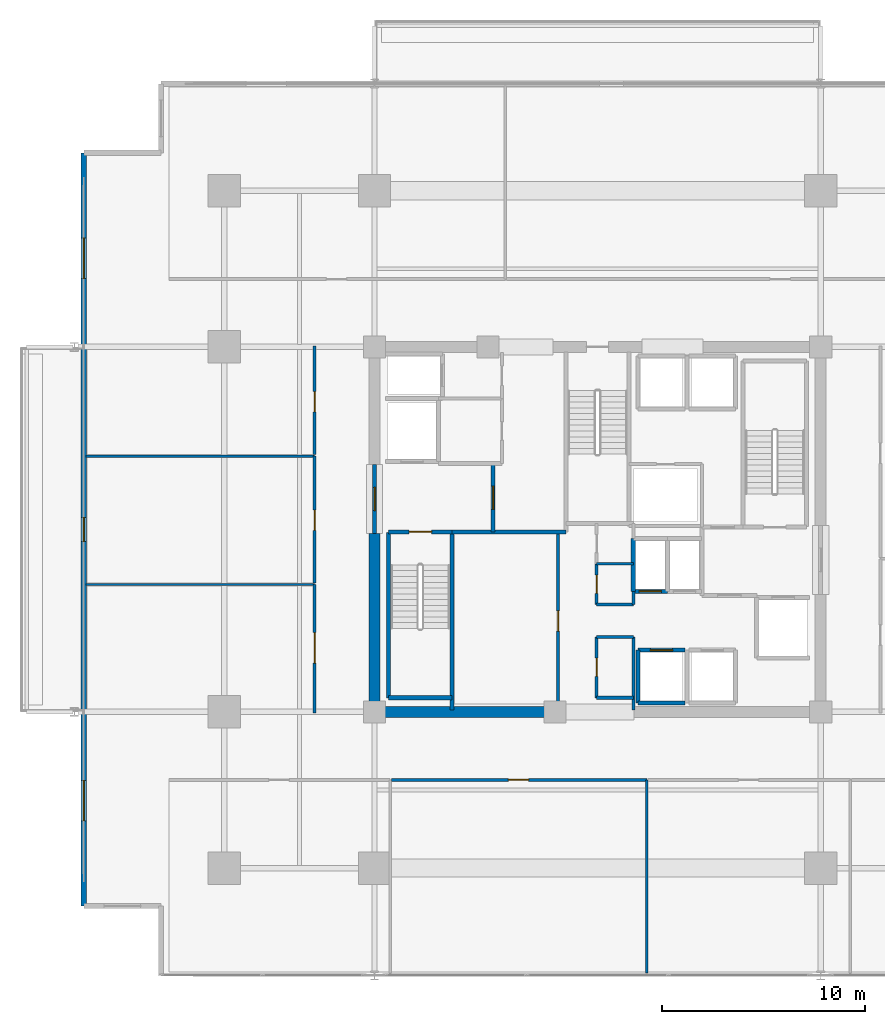
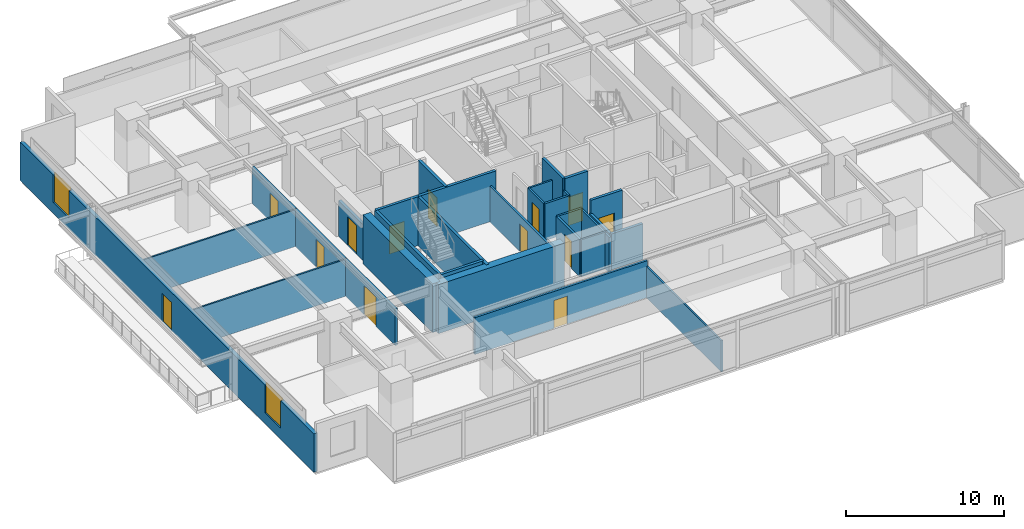
# One storey, part 13 of 20: 31 walls, 13 doors, 2 windows, 15 openings.
"""IFC4 building model written with IfcOpenShell, lengths in metres."""

from ifc_helpers import new_model, si_unit, direction, frame, frame_2d, origin, place, context, subcontext, project, spatial, rectangle, extrude, material, layer, layer_set, type_object, element, fill, save


model = new_model("IFC4")

# Units and contexts
model_context = context("Model", 3, precision=1e-05, world=origin(), true_north=direction((0.0, 1.0)))
body_context = subcontext(model_context, "Body", "Model", "MODEL_VIEW")
ifc_project = project(units=[si_unit("LENGTHUNIT", "METRE"), si_unit("AREAUNIT", "SQUARE_METRE"), si_unit("VOLUMEUNIT", "CUBIC_METRE"), si_unit("PLANEANGLEUNIT", "RADIAN"), si_unit("MASSUNIT", "GRAM", prefix="KILO")], contexts=[model_context])

# Site, building, storey
site_placement = place(None, origin())
site = spatial("IfcSite", under=ifc_project, at=site_placement, CompositionType="ELEMENT")
building_placement = place(site_placement, origin())
building = spatial("IfcBuilding", under=site, at=building_placement, Name="Kovane Verandah Tower", CompositionType="ELEMENT")
storey_placement = place(building_placement, frame((0.0, 0.0, 164.39990234375)))
storey = spatial("IfcBuildingStorey", under=building, at=storey_placement, Name="L38", CompositionType="ELEMENT", Elevation=164.39990234375)

# Walls
ifc_material_1 = material(Name="Fire-Rated Gypsum Stud Partition", Category="gypsum")
ifc_layer_1 = layer(ifc_material_1, 0.14990234375)
ifc_layer_set_1 = layer_set([ifc_layer_1], Name="Fire-Rated Gypsum Stud Partition")
wall_type_1 = type_object("IfcWallType", Name="WL-COR-150", PredefinedType="PARTITIONING", material=ifc_layer_set_1)
for number, where, z_axis, x_axis, name in (
    (1, (39.949951171875, 19.199951171875, 0.0), (0.0, 0.0, 1.0), (1.0, 0.0, 0.0), "L38 Central Core Strip South Wall"),
    (2, (39.949951171875, 22.199951171875, 0.0), (0.0, 0.0, 1.0), (1.0, 0.0, 0.0), "L38 Core Cross-Passage South Wall"),
    (3, (39.949951171875, 23.800048828125, 0.0), (0.0, 0.0, 1.0), (1.0, 0.0, 0.0), "L38 Core Cross-Passage North Wall"),
):
    element("IfcWall", number, at=place(storey_placement, frame(where, z_axis=z_axis, x_axis=x_axis)), inside=storey, type_object=wall_type_1, Name=name, PredefinedType="PARTITIONING", context=body_context, shape_type="SweptSolid", body=[
        extrude(rectangle(XDim=1.81005859375, YDim=0.14990234375, at=frame_2d((0.905029296875, 0.0))), origin(), (0.0, 0.0, 1.0), 2.85009765625),
    ])
wall_1_placement = place(storey_placement, frame((41.760009765625, 18.60009765625, 0.0), z_axis=(0.0, 0.0, 1.0), x_axis=(0.0, 1.0, 0.0)))
element("IfcWall", 4, at=wall_1_placement, inside=storey, type_object=wall_type_1, Name="L38 Central Core Strip Lower East Wall", PredefinedType="PARTITIONING", context=body_context, shape_type="SweptSolid", body=[
    extrude(rectangle(XDim=3.599853515625, YDim=0.14990234375, at=frame_2d((1.7998046875, 0.0))), origin(), (0.0, 0.0, 1.0), 2.755126953125),
])
wall_2_placement = place(storey_placement, frame((41.760009765625, 23.800048828125, 0.0), z_axis=(0.0, 0.0, 1.0), x_axis=(0.0, 1.0, 0.0)))
element("IfcWall", 5, at=wall_2_placement, inside=storey, type_object=wall_type_1, Name="L38 Central Core Strip Middle East Wall", PredefinedType="PARTITIONING", context=body_context, shape_type="SweptSolid", body=[
    extrude(rectangle(XDim=0.64990234375, YDim=0.14990234375, at=frame_2d((0.324951171875, 0.0))), origin(), (0.0, 0.0, 1.0), 2.85009765625),
])

# Wall, opening, door
wall_3_placement = place(storey_placement, frame((39.949951171875, 19.199951171875, 0.0), z_axis=(0.0, 0.0, 1.0), x_axis=(0.0, 1.0, 0.0)))
wall_3 = element("IfcWall", 6, at=wall_3_placement, inside=storey, type_object=wall_type_1, Name="L38 Male Toilet Partition", PredefinedType="PARTITIONING", context=body_context, shape_type="SweptSolid", body=[
    extrude(rectangle(XDim=3.0, YDim=0.14990234375, at=frame_2d((1.5, 0.0))), origin(), (0.0, 0.0, 1.0), 2.85009765625),
])
opening_1_placement = place(wall_3_placement, frame((1.050048828125, 0.0, 0.0)))
opening_1 = element("IfcOpeningElement", 7, at=opening_1_placement, cuts=wall_3, Name="Opening DR-L38-025", PredefinedType="OPENING", context=body_context, shape_type="SweptSolid", body=[
    extrude(rectangle(XDim=0.89990234375, YDim=2.10009765625, at=frame_2d((0.449951171875, 1.050048828125))), frame((0.0, 0.074951171875, 0.0), z_axis=(0.0, -1.0, 0.0), x_axis=(1.0, 0.0, 0.0)), (0.0, 0.0, 1.0), 0.14990234375),
])
ifc_material_2 = material(Name="Moisture-Resistant Laminate Washroom Door", Category="wood")
door_type_1 = type_object("IfcDoorType", Name="DR-WC-900", OperationType="SINGLE_SWING_LEFT", PredefinedType="DOOR", material=ifc_material_2)
door_1_placement = place(opening_1_placement, origin())
door_1 = element("IfcDoor", 8, at=door_1_placement, inside=storey, type_object=door_type_1, Name="L38 Male Toilet Door", OperationType="SINGLE_SWING_RIGHT", OverallHeight=2.10009765625, OverallWidth=0.89990234375, PredefinedType="DOOR", context=body_context, shape_type="SweptSolid", body=[
    extrude(rectangle(XDim=0.89990234375, YDim=2.10009765625, at=frame_2d((0.449951171875, 1.050048828125))), frame((0.0, 0.02490234375, 0.0), z_axis=(0.0, -1.0, 0.0), x_axis=(1.0, 0.0, 0.0)), (0.0, 0.0, 1.0), 0.050048828125),
])
fill(opening_1, door_1)

wall_4_placement = place(storey_placement, frame((39.949951171875, 23.800048828125, 0.0), z_axis=(0.0, 0.0, 1.0), x_axis=(0.0, 1.0, 0.0)))
wall_4 = element("IfcWall", 9, at=wall_4_placement, inside=storey, type_object=wall_type_1, Name="L38 Female Toilet Partition", PredefinedType="PARTITIONING", context=body_context, shape_type="SweptSolid", body=[
    extrude(rectangle(XDim=2.0, YDim=0.14990234375, at=frame_2d((1.0, 0.0))), origin(), (0.0, 0.0, 1.0), 2.85009765625),
])
opening_2_placement = place(wall_4_placement, frame((0.550048828125, 0.0, 0.0)))
opening_2 = element("IfcOpeningElement", 10, at=opening_2_placement, cuts=wall_4, Name="Opening DR-L38-024", PredefinedType="OPENING", context=body_context, shape_type="SweptSolid", body=[
    extrude(rectangle(XDim=0.89990234375, YDim=2.10009765625, at=frame_2d((0.449951171875, 1.050048828125))), frame((0.0, 0.074951171875, 0.0), z_axis=(0.0, -1.0, 0.0), x_axis=(1.0, 0.0, 0.0)), (0.0, 0.0, 1.0), 0.14990234375),
])
door_2_placement = place(opening_2_placement, origin())
door_2 = element("IfcDoor", 11, at=door_2_placement, inside=storey, type_object=door_type_1, Name="L38 Female Toilet Door", OperationType="SINGLE_SWING_LEFT", OverallHeight=2.10009765625, OverallWidth=0.89990234375, PredefinedType="DOOR", context=body_context, shape_type="SweptSolid", body=[
    extrude(rectangle(XDim=0.89990234375, YDim=2.10009765625, at=frame_2d((0.449951171875, 1.050048828125))), frame((0.0, 0.02490234375, 0.0), z_axis=(0.0, -1.0, 0.0), x_axis=(1.0, 0.0, 0.0)), (0.0, 0.0, 1.0), 0.050048828125),
])
fill(opening_2, door_2)

wall_5_placement = place(storey_placement, frame((38.050048828125, 18.60009765625, 0.0), z_axis=(0.0, 0.0, 1.0), x_axis=(0.0, 1.0, 0.0)))
wall_5 = element("IfcWall", 12, at=wall_5_placement, inside=storey, type_object=wall_type_1, Name="L38 Tenant Wellness and Archive Suite Partition", PredefinedType="PARTITIONING", context=body_context, shape_type="SweptSolid", body=[
    extrude(rectangle(XDim=8.77978515625, YDim=0.14990234375, at=frame_2d((4.389892578125, 0.0))), origin(), (0.0, 0.0, 1.0), 2.755126953125),
])
opening_3_placement = place(wall_5_placement, frame((3.889892578125, 0.0, 0.0)))
opening_3 = element("IfcOpeningElement", 13, at=opening_3_placement, cuts=wall_5, Name="Opening DR-L38-014", PredefinedType="OPENING", context=body_context, shape_type="SweptSolid", body=[
    extrude(rectangle(XDim=1.0, YDim=2.14990234375, at=frame_2d((0.5, 1.074951171875))), frame((0.0, 0.074951171875, 0.0), z_axis=(0.0, -1.0, 0.0), x_axis=(1.0, 0.0, 0.0)), (0.0, 0.0, 1.0), 0.14990234375),
])
ifc_material_3 = material(Name="FSC Spotted-Gum Timber Fire-Rated Office Door", Category="wood")
door_type_2 = type_object("IfcDoorType", Name="DR-OFF-1000", OperationType="SINGLE_SWING_LEFT", PredefinedType="DOOR", material=ifc_material_3)
door_3_placement = place(opening_3_placement, origin())
door_3 = element("IfcDoor", 14, at=door_3_placement, inside=storey, type_object=door_type_2, Name="L38 Tenant Wellness and Archive Suite Door", OperationType="SINGLE_SWING_LEFT", OverallHeight=2.14990234375, OverallWidth=1.0, PredefinedType="DOOR", context=body_context, shape_type="SweptSolid", body=[
    extrude(rectangle(XDim=1.0, YDim=2.14990234375, at=frame_2d((0.5, 1.074951171875))), frame((0.0, 0.02490234375, 0.0), z_axis=(0.0, -1.0, 0.0), x_axis=(1.0, 0.0, 0.0)), (0.0, 0.0, 1.0), 0.050048828125),
])
fill(opening_3, door_3)

wall_6_placement = place(storey_placement, frame((29.8447265625, 15.14990234375, 0.0), z_axis=(0.0, 0.0, 1.0), x_axis=(1.0, 0.0, 0.0)))
wall_6 = element("IfcWall", 15, at=wall_6_placement, inside=storey, type_object=wall_type_1, Name="L38 Document and Print Room S2 Corridor Partition", PredefinedType="PARTITIONING", context=body_context, shape_type="SweptSolid", body=[
    extrude(rectangle(XDim=12.5830078125, YDim=0.14990234375, at=frame_2d((6.29150390625, 0.0))), origin(), (0.0, 0.0, 1.0), 2.85009765625),
])
opening_4_placement = place(wall_6_placement, frame((5.756591796875, 0.0, 0.0)))
opening_4 = element("IfcOpeningElement", 16, at=opening_4_placement, cuts=wall_6, Name="Opening DR-L38-019", PredefinedType="OPENING", context=body_context, shape_type="SweptSolid", body=[
    extrude(rectangle(XDim=1.0, YDim=2.14990234375, at=frame_2d((0.5, 1.074951171875))), frame((0.0, 0.074951171875, 0.0), z_axis=(0.0, -1.0, 0.0), x_axis=(1.0, 0.0, 0.0)), (0.0, 0.0, 1.0), 0.14990234375),
])
door_4_placement = place(opening_4_placement, origin())
door_4 = element("IfcDoor", 17, at=door_4_placement, inside=storey, type_object=door_type_2, Name="L38 Document and Print Room S2 Entrance Door", OperationType="SINGLE_SWING_RIGHT", OverallHeight=2.14990234375, OverallWidth=1.0, PredefinedType="DOOR", context=body_context, shape_type="SweptSolid", body=[
    extrude(rectangle(XDim=1.0, YDim=2.14990234375, at=frame_2d((0.5, 1.074951171875))), frame((0.0, 0.02490234375, 0.0), z_axis=(0.0, -1.0, 0.0), x_axis=(1.0, 0.0, 0.0)), (0.0, 0.0, 1.0), 0.050048828125),
])
fill(opening_4, door_4)

wall_7_placement = place(storey_placement, frame((26.050048828125, 18.449951171875, 0.0), z_axis=(0.0, 0.0, 1.0), x_axis=(0.0, 1.0, 0.0)))
wall_7 = element("IfcWall", 18, at=wall_7_placement, inside=storey, type_object=wall_type_1, Name="L38 Client Boardroom W1 Corridor Partition", PredefinedType="PARTITIONING", context=body_context, shape_type="SweptSolid", body=[
    extrude(rectangle(XDim=6.3349609375, YDim=0.14990234375, at=frame_2d((3.16748046875, 0.0))), origin(), (0.0, 0.0, 1.0), 2.85009765625),
])
opening_5_placement = place(wall_7_placement, frame((2.45751953125, 0.0, 0.0)))
opening_5 = element("IfcOpeningElement", 19, at=opening_5_placement, cuts=wall_7, Name="Opening DR-L38-026", PredefinedType="OPENING", context=body_context, shape_type="SweptSolid", body=[
    extrude(rectangle(XDim=1.5, YDim=2.25, at=frame_2d((0.75, 1.125))), frame((0.0, 0.074951171875, 0.0), z_axis=(0.0, -1.0, 0.0), x_axis=(1.0, 0.0, 0.0)), (0.0, 0.0, 1.0), 0.14990234375),
])
ifc_material_4 = material(Name="Glazed Timber Fire-Rated Double Door", Category="wood")
door_type_3 = type_object("IfcDoorType", Name="DR-CONF-1500", OperationType="DOUBLE_DOOR_SINGLE_SWING", PredefinedType="DOOR", material=ifc_material_4)
door_5_placement = place(opening_5_placement, origin())
door_5 = element("IfcDoor", 20, at=door_5_placement, inside=storey, type_object=door_type_3, Name="L38 Client Boardroom W1 Entrance Door", OperationType="DOUBLE_DOOR_SINGLE_SWING", OverallHeight=2.25, OverallWidth=1.5, PredefinedType="DOOR", context=body_context, shape_type="SweptSolid", body=[
    extrude(rectangle(XDim=1.5, YDim=2.25, at=frame_2d((0.75, 1.125))), frame((0.0, 0.02490234375, 0.0), z_axis=(0.0, -1.0, 0.0), x_axis=(1.0, 0.0, 0.0)), (0.0, 0.0, 1.0), 0.050048828125),
])
fill(opening_5, door_5)

wall_8_placement = place(storey_placement, frame((26.050048828125, 24.85498046875, 0.0), z_axis=(0.0, 0.0, 1.0), x_axis=(0.0, 1.0, 0.0)))
wall_8 = element("IfcWall", 21, at=wall_8_placement, inside=storey, type_object=wall_type_1, Name="L38 Meeting Room W2 Corridor Partition", PredefinedType="PARTITIONING", context=body_context, shape_type="SweptSolid", body=[
    extrude(rectangle(XDim=6.26513671875, YDim=0.14990234375, at=frame_2d((3.132568359375, 0.0))), origin(), (0.0, 0.0, 1.0), 2.85009765625),
])
opening_6_placement = place(wall_8_placement, frame((2.597412109375, 0.0, 0.0)))
opening_6 = element("IfcOpeningElement", 22, at=opening_6_placement, cuts=wall_8, Name="Opening DR-L38-027", PredefinedType="OPENING", context=body_context, shape_type="SweptSolid", body=[
    extrude(rectangle(XDim=1.0, YDim=2.14990234375, at=frame_2d((0.5, 1.074951171875))), frame((0.0, 0.074951171875, 0.0), z_axis=(0.0, -1.0, 0.0), x_axis=(1.0, 0.0, 0.0)), (0.0, 0.0, 1.0), 0.14990234375),
])
door_6_placement = place(opening_6_placement, origin())
door_6 = element("IfcDoor", 23, at=door_6_placement, inside=storey, type_object=door_type_2, Name="L38 Meeting Room W2 Entrance Door", OperationType="SINGLE_SWING_RIGHT", OverallHeight=2.14990234375, OverallWidth=1.0, PredefinedType="DOOR", context=body_context, shape_type="SweptSolid", body=[
    extrude(rectangle(XDim=1.0, YDim=2.14990234375, at=frame_2d((0.5, 1.074951171875))), frame((0.0, 0.02490234375, 0.0), z_axis=(0.0, -1.0, 0.0), x_axis=(1.0, 0.0, 0.0)), (0.0, 0.0, 1.0), 0.050048828125),
])
fill(opening_6, door_6)

wall_9_placement = place(storey_placement, frame((26.050048828125, 31.18994140625, 0.0), z_axis=(0.0, 0.0, 1.0), x_axis=(0.0, 1.0, 0.0)))
wall_9 = element("IfcWall", 24, at=wall_9_placement, inside=storey, type_object=wall_type_1, Name="L38 Focus Studio W3 Corridor Partition", PredefinedType="PARTITIONING", context=body_context, shape_type="SweptSolid", body=[
    extrude(rectangle(XDim=5.360107421875, YDim=0.14990234375, at=frame_2d((2.68017578125, 0.0))), origin(), (0.0, 0.0, 1.0), 2.85009765625),
])
opening_7_placement = place(wall_9_placement, frame((2.10498046875, 0.0, 0.0)))
opening_7 = element("IfcOpeningElement", 25, at=opening_7_placement, cuts=wall_9, Name="Opening DR-L38-028", PredefinedType="OPENING", context=body_context, shape_type="SweptSolid", body=[
    extrude(rectangle(XDim=1.0, YDim=2.14990234375, at=frame_2d((0.5, 1.074951171875))), frame((0.0, 0.074951171875, 0.0), z_axis=(0.0, -1.0, 0.0), x_axis=(1.0, 0.0, 0.0)), (0.0, 0.0, 1.0), 0.14990234375),
])
door_7_placement = place(opening_7_placement, origin())
door_7 = element("IfcDoor", 26, at=door_7_placement, inside=storey, type_object=door_type_2, Name="L38 Focus Studio W3 Entrance Door", OperationType="SINGLE_SWING_LEFT", OverallHeight=2.14990234375, OverallWidth=1.0, PredefinedType="DOOR", context=body_context, shape_type="SweptSolid", body=[
    extrude(rectangle(XDim=1.0, YDim=2.14990234375, at=frame_2d((0.5, 1.074951171875))), frame((0.0, 0.02490234375, 0.0), z_axis=(0.0, -1.0, 0.0), x_axis=(1.0, 0.0, 0.0)), (0.0, 0.0, 1.0), 0.050048828125),
])
fill(opening_7, door_7)

# Walls
ifc_material_5 = material(Name="Concrete C60/75", Category="concrete")
ifc_layer_2 = layer(ifc_material_5, 0.550048828125)
ifc_layer_set_2 = layer_set([ifc_layer_2], Name="Concrete C60/75")
wall_type_2 = type_object("IfcWallType", Name="WL-CORE-550", PredefinedType="SHEAR", material=ifc_layer_set_2)
wall_10_placement = place(storey_placement, frame((29.0, 18.5, 0.0), z_axis=(0.0, 0.0, 1.0), x_axis=(1.0, 0.0, 0.0)))
element("IfcWall", 27, at=wall_10_placement, inside=storey, type_object=wall_type_2, Name="L38 Core Shear Wall CS-1", PredefinedType="SHEAR", context=body_context, shape_type="SweptSolid", body=[
    extrude(rectangle(XDim=9.199951171875, YDim=0.550048828125, at=frame_2d((4.60009765625, 0.0))), origin(), (0.0, 0.0, 1.0), 3.775146484375),
])
wall_11_placement = place(storey_placement, frame((29.0, 18.5, 0.0), z_axis=(0.0, 0.0, 1.0), x_axis=(0.0, 1.0, 0.0)))
element("IfcWall", 28, at=wall_11_placement, inside=storey, type_object=wall_type_2, Name="L38 Core Shear Wall CW-1", PredefinedType="SHEAR", context=body_context, shape_type="SweptSolid", body=[
    extrude(rectangle(XDim=8.800048828125, YDim=0.550048828125, at=frame_2d((4.39990234375, 0.0))), origin(), (0.0, 0.0, 1.0), 3.775146484375),
])

# Wall, opening, door
ifc_material_6 = material(Name="Concrete C45/55 Fire Wall", Category="concrete")
ifc_layer_3 = layer(ifc_material_6, 0.199951171875)
ifc_layer_set_3 = layer_set([ifc_layer_3], Name="Concrete C45/55 Fire Wall")
wall_type_3 = type_object("IfcWallType", Name="WL-FFL-200", PredefinedType="PARTITIONING", material=ifc_layer_set_3)
wall_12_placement = place(storey_placement, frame((34.85009765625, 27.3798828125, 0.0), z_axis=(0.0, 0.0, 1.0), x_axis=(0.0, 1.0, 0.0)))
wall_12 = element("IfcWall", 29, at=wall_12_placement, inside=storey, type_object=wall_type_3, Name="W-L38-FFLW-E", PredefinedType="PARTITIONING", context=body_context, shape_type="SweptSolid", body=[
    extrude(rectangle(XDim=3.3701171875, YDim=0.199951171875, at=frame_2d((1.68505859375, 0.0))), origin(), (0.0, 0.0, 1.0), 3.775146484375),
])
opening_8_placement = place(wall_12_placement, frame((1.110107421875, 0.0, 0.0)))
opening_8 = element("IfcOpeningElement", 30, at=opening_8_placement, cuts=wall_12, Name="Opening DR-L38-006", PredefinedType="OPENING", context=body_context, shape_type="SweptSolid", body=[
    extrude(rectangle(XDim=1.14990234375, YDim=2.199951171875, at=frame_2d((0.574951171875, 1.10009765625))), frame((0.0, 0.10009765625, 0.0), z_axis=(0.0, -1.0, 0.0), x_axis=(1.0, 0.0, 0.0)), (0.0, 0.0, 1.0), 0.199951171875),
])
ifc_material_7 = material(Name="Smoke-Sealed Firefighting Lobby Door", Category="steel")
door_type_4 = type_object("IfcDoorType", Name="DR-FFL-1150", OperationType="SINGLE_SWING_LEFT", PredefinedType="DOOR", material=ifc_material_7)
door_8_placement = place(opening_8_placement, origin())
door_8 = element("IfcDoor", 31, at=door_8_placement, inside=storey, type_object=door_type_4, Name="L38 West Firefighting Lobby Inner Door", OperationType="SINGLE_SWING_LEFT", OverallHeight=2.199951171875, OverallWidth=1.14990234375, PredefinedType="DOOR", context=body_context, shape_type="SweptSolid", body=[
    extrude(rectangle(XDim=1.14990234375, YDim=2.199951171875, at=frame_2d((0.574951171875, 1.10009765625))), frame((0.0, 0.02490234375, 0.0), z_axis=(0.0, -1.0, 0.0), x_axis=(1.0, 0.0, 0.0)), (0.0, 0.0, 1.0), 0.050048828125),
])
fill(opening_8, door_8)

wall_13_placement = place(storey_placement, frame((29.0, 27.300048828125, 0.0), z_axis=(0.0, 0.0, 1.0), x_axis=(0.0, 1.0, 0.0)))
wall_13 = element("IfcWall", 32, at=wall_13_placement, inside=storey, type_object=wall_type_3, Name="W-L38-FFLW-OUT", PredefinedType="PARTITIONING", context=body_context, shape_type="SweptSolid", body=[
    extrude(rectangle(XDim=3.39990234375, YDim=0.199951171875, at=frame_2d((1.699951171875, 0.0))), origin(), (0.0, 0.0, 1.0), 2.755126953125),
])
opening_9_placement = place(wall_13_placement, frame((1.125, 0.0, 0.0)))
opening_9 = element("IfcOpeningElement", 33, at=opening_9_placement, cuts=wall_13, Name="Opening DR-L38-007", PredefinedType="OPENING", context=body_context, shape_type="SweptSolid", body=[
    extrude(rectangle(XDim=1.14990234375, YDim=2.199951171875, at=frame_2d((0.574951171875, 1.10009765625))), frame((0.0, 0.10009765625, 0.0), z_axis=(0.0, -1.0, 0.0), x_axis=(1.0, 0.0, 0.0)), (0.0, 0.0, 1.0), 0.199951171875),
])
door_9_placement = place(opening_9_placement, origin())
door_9 = element("IfcDoor", 34, at=door_9_placement, inside=storey, type_object=door_type_4, Name="L38 West Firefighting Lobby Corridor Door", OperationType="SINGLE_SWING_RIGHT", OverallHeight=2.199951171875, OverallWidth=1.14990234375, PredefinedType="DOOR", context=body_context, shape_type="SweptSolid", body=[
    extrude(rectangle(XDim=1.14990234375, YDim=2.199951171875, at=frame_2d((0.574951171875, 1.10009765625))), frame((0.0, 0.02490234375, 0.0), z_axis=(0.0, -1.0, 0.0), x_axis=(1.0, 0.0, 0.0)), (0.0, 0.0, 1.0), 0.050048828125),
])
fill(opening_9, door_9)

# Walls
wall_14_placement = place(storey_placement, frame((32.820068359375, 27.3798828125, 0.0), z_axis=(0.0, 0.0, 1.0), x_axis=(1.0, 0.0, 0.0)))
element("IfcWall", 35, at=wall_14_placement, inside=storey, type_object=wall_type_3, Name="L38 West Firefighting Lobby South Fire Wall", PredefinedType="PARTITIONING", context=body_context, shape_type="SweptSolid", body=[
    extrude(rectangle(XDim=5.619873046875, YDim=0.199951171875, at=frame_2d((2.81005859375, 0.0))), origin(), (0.0, 0.0, 1.0), 3.775146484375),
])
ifc_material_8 = material(Name="Concrete C45/55 Lift Shaft Wall", Category="concrete")
ifc_layer_4 = layer(ifc_material_8, 0.199951171875)
ifc_layer_set_4 = layer_set([ifc_layer_4], Name="Concrete C45/55 Lift Shaft Wall")
wall_type_4 = type_object("IfcWallType", Name="WL-LIFT-200", PredefinedType="SOLIDWALL", material=ifc_layer_set_4)
wall_15_placement = place(storey_placement, frame((42.0, 18.949951171875, 0.0), z_axis=(0.0, 0.0, 1.0), x_axis=(1.0, 0.0, 0.0)))
element("IfcWall", 36, at=wall_15_placement, inside=storey, type_object=wall_type_4, Name="L38 Lift PL-M1 S Shaft Wall", PredefinedType="SOLIDWALL", context=body_context, shape_type="SweptSolid", body=[
    extrude(rectangle(XDim=2.300048828125, YDim=0.199951171875, at=frame_2d((1.14990234375, 0.0))), origin(), (0.0, 0.0, 1.0), 2.755126953125),
])

# Wall, opening, door
wall_16_placement = place(storey_placement, frame((44.300048828125, 21.550048828125, 0.0), z_axis=(0.0, 0.0, 1.0), x_axis=(-1.0, 0.0, 0.0)))
wall_16 = element("IfcWall", 37, at=wall_16_placement, inside=storey, type_object=wall_type_4, Name="L38 Lift PL-M1 N Shaft Wall", PredefinedType="SOLIDWALL", context=body_context, shape_type="SweptSolid", body=[
    extrude(rectangle(XDim=2.300048828125, YDim=0.199951171875, at=frame_2d((1.14990234375, 0.0))), origin(), (0.0, 0.0, 1.0), 3.775146484375),
])
opening_10_placement = place(wall_16_placement, frame((0.60009765625, 0.0, 0.0)))
opening_10 = element("IfcOpeningElement", 38, at=opening_10_placement, cuts=wall_16, Name="Opening LD-L38-004", PredefinedType="OPENING", context=body_context, shape_type="SweptSolid", body=[
    extrude(rectangle(XDim=1.10009765625, YDim=2.199951171875, at=frame_2d((0.550048828125, 1.10009765625))), frame((0.0, 0.10009765625, 0.0), z_axis=(0.0, -1.0, 0.0), x_axis=(1.0, 0.0, 0.0)), (0.0, 0.0, 1.0), 0.199951171875),
])
ifc_material_9 = material(Name="Brushed Stainless Steel Sliding Lift Landing Door", Category="steel")
door_type_5 = type_object("IfcDoorType", Name="DR-LIFT-1100", OperationType="SLIDING_TO_RIGHT", PredefinedType="DOOR", material=ifc_material_9)
door_10_placement = place(opening_10_placement, origin())
door_10 = element("IfcDoor", 39, at=door_10_placement, inside=storey, type_object=door_type_5, Name="L38 Lift PL-M1 Sliding Landing Door", OperationType="SLIDING_TO_RIGHT", OverallHeight=2.199951171875, OverallWidth=1.10009765625, PredefinedType="DOOR", context=body_context, shape_type="SweptSolid", body=[
    extrude(rectangle(XDim=1.10009765625, YDim=2.199951171875, at=frame_2d((0.550048828125, 1.10009765625))), frame((0.0, 0.02490234375, 0.0), z_axis=(0.0, -1.0, 0.0), x_axis=(1.0, 0.0, 0.0)), (0.0, 0.0, 1.0), 0.050048828125),
])
fill(opening_10, door_10)

# Wall
wall_17_placement = place(storey_placement, frame((42.0, 21.550048828125, 0.0), z_axis=(0.0, 0.0, 1.0), x_axis=(0.0, -1.0, 0.0)))
element("IfcWall", 40, at=wall_17_placement, inside=storey, type_object=wall_type_4, Name="L38 Lift PL-M1 W Shaft Wall", PredefinedType="SOLIDWALL", context=body_context, shape_type="SweptSolid", body=[
    extrude(rectangle(XDim=2.60009765625, YDim=0.199951171875, at=frame_2d((1.300048828125, 0.0))), origin(), (0.0, 0.0, 1.0), 2.755126953125),
])

# Wall, opening, door
wall_18_placement = place(storey_placement, frame((41.760009765625, 24.449951171875, 0.0), z_axis=(0.0, 0.0, 1.0), x_axis=(1.0, 0.0, 0.0)))
wall_18 = element("IfcWall", 41, at=wall_18_placement, inside=storey, type_object=wall_type_4, Name="L38 Lift PL-M3 S Shaft Wall", PredefinedType="SOLIDWALL", context=body_context, shape_type="SweptSolid", body=[
    extrude(rectangle(XDim=1.679931640625, YDim=0.199951171875, at=frame_2d((0.83984375, 0.0))), origin(), (0.0, 0.0, 1.0), 3.775146484375),
])
opening_11_placement = place(wall_18_placement, frame((0.2900390625, 0.0, 0.0)))
opening_11 = element("IfcOpeningElement", 42, at=opening_11_placement, cuts=wall_18, Name="Opening LD-L38-006", PredefinedType="OPENING", context=body_context, shape_type="SweptSolid", body=[
    extrude(rectangle(XDim=1.10009765625, YDim=2.199951171875, at=frame_2d((0.550048828125, 1.10009765625))), frame((0.0, 0.10009765625, 0.0), z_axis=(0.0, -1.0, 0.0), x_axis=(1.0, 0.0, 0.0)), (0.0, 0.0, 1.0), 0.199951171875),
])
door_11_placement = place(opening_11_placement, origin())
door_11 = element("IfcDoor", 43, at=door_11_placement, inside=storey, type_object=door_type_5, Name="L38 Lift PL-M3 Sliding Landing Door", OperationType="SLIDING_TO_RIGHT", OverallHeight=2.199951171875, OverallWidth=1.10009765625, PredefinedType="DOOR", context=body_context, shape_type="SweptSolid", body=[
    extrude(rectangle(XDim=1.10009765625, YDim=2.199951171875, at=frame_2d((0.550048828125, 1.10009765625))), frame((0.0, 0.02490234375, 0.0), z_axis=(0.0, -1.0, 0.0), x_axis=(1.0, 0.0, 0.0)), (0.0, 0.0, 1.0), 0.050048828125),
])
fill(opening_11, door_11)

# Walls
wall_19_placement = place(storey_placement, frame((41.760009765625, 27.050048828125, 0.0), z_axis=(0.0, 0.0, 1.0), x_axis=(0.0, -1.0, 0.0)))
element("IfcWall", 44, at=wall_19_placement, inside=storey, type_object=wall_type_4, Name="L38 Lift PL-M3 W Shaft Wall", PredefinedType="SOLIDWALL", context=body_context, shape_type="SweptSolid", body=[
    extrude(rectangle(XDim=2.60009765625, YDim=0.199951171875, at=frame_2d((1.300048828125, 0.0))), origin(), (0.0, 0.0, 1.0), 3.775146484375),
])
ifc_material_10 = material(Name="Acoustic Fire-Rated Gypsum Partition", Category="gypsum")
ifc_layer_5 = layer(ifc_material_10, 0.1201171875)
ifc_layer_set_5 = layer_set([ifc_layer_5], Name="Acoustic Fire-Rated Gypsum Partition")
wall_type_5 = type_object("IfcWallType", Name="WL-PART-120", PredefinedType="PARTITIONING", material=ifc_layer_set_5)
wall_20_placement = place(storey_placement, frame((39.949951171875, 25.800048828125, 0.0), z_axis=(0.0, 0.0, 1.0), x_axis=(1.0, 0.0, 0.0)))
element("IfcWall", 45, at=wall_20_placement, inside=storey, type_object=wall_type_5, Name="L38 Central Core Strip Upper Dividing Partition", PredefinedType="PARTITIONING", context=body_context, shape_type="SweptSolid", body=[
    extrude(rectangle(XDim=1.81005859375, YDim=0.1201171875, at=frame_2d((0.905029296875, 0.0))), origin(), (0.0, 0.0, 1.0), 2.85009765625),
])
wall_21_placement = place(storey_placement, frame((42.427734375, 5.626953125, 0.0), z_axis=(0.0, 0.0, 1.0), x_axis=(0.0, 1.0, 0.0)))
element("IfcWall", 46, at=wall_21_placement, inside=storey, type_object=wall_type_5, Name="L38 Document and Print Room S2 Dividing Partition", PredefinedType="PARTITIONING", context=body_context, shape_type="SweptSolid", body=[
    extrude(rectangle(XDim=9.52294921875, YDim=0.1201171875, at=frame_2d((4.761474609375, 0.0))), origin(), (0.0, 0.0, 1.0), 2.405029296875),
])
for number, where, z_axis, x_axis, name in (
    (47, (14.76708984375, 24.784912109375, 0.0), (0.0, 0.0, 1.0), (1.0, 0.0, 0.0), "L38 Client Boardroom W1 Dividing Partition"),
    (48, (14.76708984375, 31.1201171875, 0.0), (0.0, 0.0, 1.0), (1.0, 0.0, 0.0), "L38 Meeting Room W2 Dividing Partition"),
):
    element("IfcWall", number, at=place(storey_placement, frame(where, z_axis=z_axis, x_axis=x_axis)), inside=storey, type_object=wall_type_5, Name=name, PredefinedType="PARTITIONING", context=body_context, shape_type="SweptSolid", body=[
        extrude(rectangle(XDim=11.282958984375, YDim=0.1201171875, at=frame_2d((5.6416015625, 0.0))), origin(), (0.0, 0.0, 1.0), 2.85009765625),
    ])
ifc_material_11 = material(Name="Concrete C45/55", Category="concrete")
ifc_layer_6 = layer(ifc_material_11, 0.199951171875)
ifc_layer_set_6 = layer_set([ifc_layer_6], Name="Concrete C45/55")
wall_type_6 = type_object("IfcWallType", Name="WL-SHAFT-200", PredefinedType="SOLIDWALL", material=ifc_layer_set_6)
wall_22_placement = place(storey_placement, frame((29.699951171875, 19.199951171875, 0.0), z_axis=(0.0, 0.0, 1.0), x_axis=(0.0, 1.0, 0.0)))
element("IfcWall", 49, at=wall_22_placement, inside=storey, type_object=wall_type_6, Name="W-L38-ST01-W", PredefinedType="SOLIDWALL", context=body_context, shape_type="SweptSolid", body=[
    extrude(rectangle(XDim=8.150146484375, YDim=0.199951171875, at=frame_2d((4.0751953125, 0.0))), origin(), (0.0, 0.0, 1.0), 3.775146484375),
])
wall_23_placement = place(storey_placement, frame((29.699951171875, 19.199951171875, 0.0), z_axis=(0.0, 0.0, 1.0), x_axis=(1.0, 0.0, 0.0)))
element("IfcWall", 50, at=wall_23_placement, inside=storey, type_object=wall_type_6, Name="W-L38-ST01-S", PredefinedType="SOLIDWALL", context=body_context, shape_type="SweptSolid", body=[
    extrude(rectangle(XDim=3.1201171875, YDim=0.199951171875, at=frame_2d((1.56005859375, 0.0))), origin(), (0.0, 0.0, 1.0), 3.775146484375),
])
wall_24_placement = place(storey_placement, frame((32.820068359375, 18.60009765625, 0.0), z_axis=(0.0, 0.0, 1.0), x_axis=(0.0, 1.0, 0.0)))
element("IfcWall", 51, at=wall_24_placement, inside=storey, type_object=wall_type_6, Name="W-L38-ST01-E", PredefinedType="SOLIDWALL", context=body_context, shape_type="SweptSolid", body=[
    extrude(rectangle(XDim=8.77978515625, YDim=0.199951171875, at=frame_2d((4.389892578125, 0.0))), origin(), (0.0, 0.0, 1.0), 3.775146484375),
])

# Wall, opening, door
wall_25_placement = place(storey_placement, frame((29.699951171875, 27.3798828125, 0.0), z_axis=(0.0, 0.0, 1.0), x_axis=(1.0, 0.0, 0.0)))
wall_25 = element("IfcWall", 52, at=wall_25_placement, inside=storey, type_object=wall_type_6, Name="W-L38-ST01-N", PredefinedType="SOLIDWALL", context=body_context, shape_type="SweptSolid", body=[
    extrude(rectangle(XDim=3.1201171875, YDim=0.199951171875, at=frame_2d((1.56005859375, 0.0))), origin(), (0.0, 0.0, 1.0), 3.775146484375),
])
opening_12_placement = place(wall_25_placement, frame((1.010009765625, 0.0, 0.0)))
opening_12 = element("IfcOpeningElement", 53, at=opening_12_placement, cuts=wall_25, Name="Opening DR-L38-009", PredefinedType="OPENING", context=body_context, shape_type="SweptSolid", body=[
    extrude(rectangle(XDim=1.10009765625, YDim=2.14990234375, at=frame_2d((0.550048828125, 1.074951171875))), frame((0.0, 0.10009765625, 0.0), z_axis=(0.0, -1.0, 0.0), x_axis=(1.0, 0.0, 0.0)), (0.0, 0.0, 1.0), 0.199951171875),
])
ifc_material_12 = material(Name="Fire-Rated Steel Exit Door", Category="steel")
door_type_6 = type_object("IfcDoorType", Name="DR-STAIR-1100", OperationType="SINGLE_SWING_LEFT", PredefinedType="DOOR", material=ifc_material_12)
door_12_placement = place(opening_12_placement, origin())
door_12 = element("IfcDoor", 54, at=door_12_placement, inside=storey, type_object=door_type_6, Name="L38 ST-01 Fire Exit Stair Door", OperationType="SINGLE_SWING_LEFT", OverallHeight=2.14990234375, OverallWidth=1.10009765625, PredefinedType="DOOR", context=body_context, shape_type="SweptSolid", body=[
    extrude(rectangle(XDim=1.10009765625, YDim=2.14990234375, at=frame_2d((0.550048828125, 1.074951171875))), frame((0.0, 0.02490234375, 0.0), z_axis=(0.0, -1.0, 0.0), x_axis=(1.0, 0.0, 0.0)), (0.0, 0.0, 1.0), 0.050048828125),
])
fill(opening_12, door_12)

# Wall, openings, door, windows
ifc_material_13 = material(Name="Concrete C45/55 Insulated Spandrel Wall", Category="concrete")
ifc_layer_7 = layer(ifc_material_13, 0.260009765625)
ifc_layer_set_7 = layer_set([ifc_layer_7], Name="Concrete C45/55 Insulated Spandrel Wall")
wall_type_7 = type_object("IfcWallType", Name="WL-SPANDREL-260", PredefinedType="PARAPET", material=ifc_layer_set_7)
wall_26_placement = place(storey_placement, frame((14.6669921875, 46.072998046875, 0.0), z_axis=(0.0, 0.0, 1.0), x_axis=(0.0, -1.0, 0.0)))
wall_26 = element("IfcWall", 55, at=wall_26_placement, inside=storey, type_object=wall_type_7, Name="L38 W Verandah Access Facade Wall", PredefinedType="PARAPET", context=body_context, shape_type="SweptSolid", body=[
    extrude(rectangle(XDim=37.14599609375, YDim=0.260009765625, at=frame_2d((18.572998046875, 0.0))), origin(), (0.0, 0.0, 1.0), 2.97021484375),
])
opening_13_placement = place(wall_26_placement, frame((4.199951171875, 0.0, 0.85009765625)))
opening_13 = element("IfcOpeningElement", 56, at=opening_13_placement, cuts=wall_26, Name="Opening W-04", PredefinedType="OPENING", context=body_context, shape_type="SweptSolid", body=[
    extrude(rectangle(XDim=2.0, YDim=2.300048828125, at=frame_2d((1.0, 1.14990234375))), frame((0.0, 0.1298828125, 0.0), z_axis=(0.0, -1.0, 0.0), x_axis=(1.0, 0.0, 0.0)), (0.0, 0.0, 1.0), 0.260009765625),
])
opening_14_placement = place(wall_26_placement, frame((17.97314453125, 0.0, 0.0)))
opening_14 = element("IfcOpeningElement", 57, at=opening_14_placement, cuts=wall_26, Name="Opening DR-L38-002", PredefinedType="OPENING", context=body_context, shape_type="SweptSolid", body=[
    extrude(rectangle(XDim=1.199951171875, YDim=2.199951171875, at=frame_2d((0.60009765625, 1.10009765625))), frame((0.0, 0.1298828125, 0.0), z_axis=(0.0, -1.0, 0.0), x_axis=(1.0, 0.0, 0.0)), (0.0, 0.0, 1.0), 0.260009765625),
])
opening_15_placement = place(wall_26_placement, frame((30.9462890625, 0.0, 0.85009765625)))
opening_15 = element("IfcOpeningElement", 58, at=opening_15_placement, cuts=wall_26, Name="Opening W-04", PredefinedType="OPENING", context=body_context, shape_type="SweptSolid", body=[
    extrude(rectangle(XDim=2.0, YDim=2.300048828125, at=frame_2d((1.0, 1.14990234375))), frame((0.0, 0.1298828125, 0.0), z_axis=(0.0, -1.0, 0.0), x_axis=(1.0, 0.0, 0.0)), (0.0, 0.0, 1.0), 0.260009765625),
])
ifc_material_14 = material(Name="Cyclone-Rated Glazed Balcony Leaf Door", Category="aluminium")
door_type_7 = type_object("IfcDoorType", Name="DR-BAL-1200x2200", OperationType="SINGLE_SWING_LEFT", PredefinedType="DOOR", material=ifc_material_14)
door_13_placement = place(opening_14_placement, origin())
door_13 = element("IfcDoor", 59, at=door_13_placement, inside=storey, type_object=door_type_7, Name="L38 W Planted Balcony Access Door", OperationType="SINGLE_SWING_LEFT", OverallHeight=2.199951171875, OverallWidth=1.199951171875, PredefinedType="DOOR", context=body_context, shape_type="SweptSolid", body=[
    extrude(rectangle(XDim=1.199951171875, YDim=2.199951171875, at=frame_2d((0.60009765625, 1.10009765625))), frame((0.0, 0.02490234375, 0.0), z_axis=(0.0, -1.0, 0.0), x_axis=(1.0, 0.0, 0.0)), (0.0, 0.0, 1.0), 0.050048828125),
])
fill(opening_14, door_13)
ifc_material_15 = material(Name="Clear Low-E Laminated Double Glazing in Anodised Frame", Category="glass")
window_type = type_object("IfcWindowType", Name="WN-FIXED-2000x2300", PartitioningType="SINGLE_PANEL", PredefinedType="WINDOW", material=ifc_material_15)
window_1_placement = place(opening_13_placement, origin())
window_1 = element("IfcWindow", 60, at=window_1_placement, inside=storey, type_object=window_type, Name="L38 W Verandah View Window 1", OverallHeight=2.300048828125, OverallWidth=2.0, PartitioningType="SINGLE_PANEL", PredefinedType="WINDOW", context=body_context, shape_type="SweptSolid", body=[
    extrude(rectangle(XDim=2.0, YDim=2.300048828125, at=frame_2d((1.0, 1.14990234375))), frame((0.0, 0.030029296875, 0.0), z_axis=(0.0, -1.0, 0.0), x_axis=(1.0, 0.0, 0.0)), (0.0, 0.0, 1.0), 0.06005859375),
])
fill(opening_13, window_1)
window_2_placement = place(opening_15_placement, origin())
window_2 = element("IfcWindow", 61, at=window_2_placement, inside=storey, type_object=window_type, Name="L38 W Verandah View Window 2", OverallHeight=2.300048828125, OverallWidth=2.0, PartitioningType="SINGLE_PANEL", PredefinedType="WINDOW", context=body_context, shape_type="SweptSolid", body=[
    extrude(rectangle(XDim=2.0, YDim=2.300048828125, at=frame_2d((1.0, 1.14990234375))), frame((0.0, 0.030029296875, 0.0), z_axis=(0.0, -1.0, 0.0), x_axis=(1.0, 0.0, 0.0)), (0.0, 0.0, 1.0), 0.06005859375),
])
fill(opening_15, window_2)

save(model, "model.ifc")
